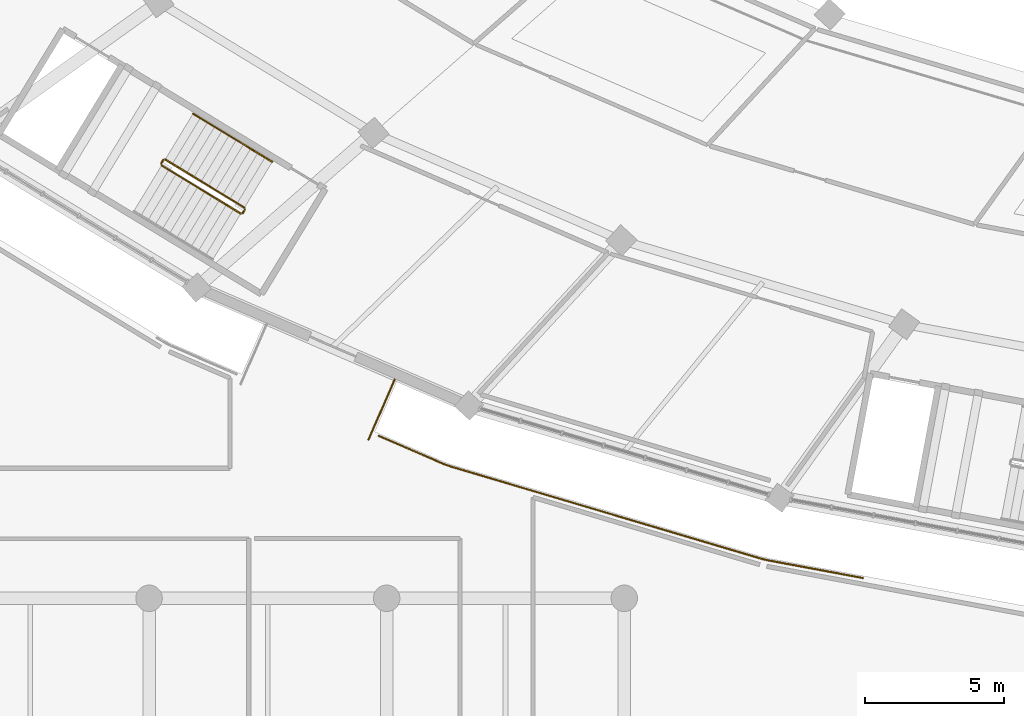
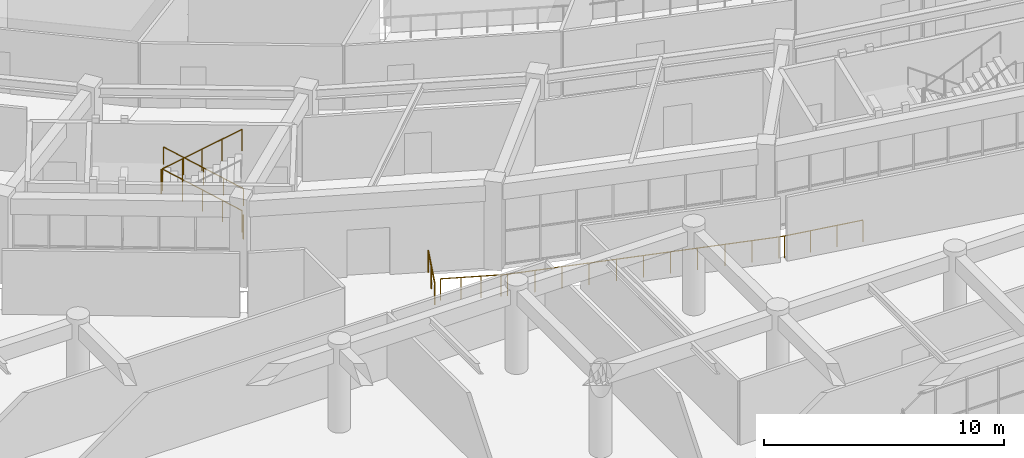
# One storey, part 114 of 141: 7 railings.
"""IFC4 building model written with IfcOpenShell, lengths in metres."""

from ifc_helpers import new_model, si_unit, direction, frame, origin, origin_2d, place, context, subcontext, project, spatial, circle, extrude, material, type_object, element, save


model = new_model("IFC4")

# Units and contexts
model_context = context("Model", 3, precision=1e-05, world=origin(), true_north=direction((0.0, 1.0)))
body_context = subcontext(model_context, "Body", "Model", "MODEL_VIEW")
ifc_project = project(units=[si_unit("LENGTHUNIT", "METRE"), si_unit("AREAUNIT", "SQUARE_METRE"), si_unit("VOLUMEUNIT", "CUBIC_METRE"), si_unit("PLANEANGLEUNIT", "RADIAN"), si_unit("MASSUNIT", "GRAM", prefix="KILO")], contexts=[model_context])

# Site, building, storey
site_placement = place(None, origin())
site = spatial("IfcSite", under=ifc_project, at=site_placement, CompositionType="ELEMENT")
building_placement = place(site_placement, origin())
building = spatial("IfcBuilding", under=site, at=building_placement, Name="Mphavela Belvedere Stadium", CompositionType="ELEMENT")
storey_placement = place(building_placement, frame((0.0, 0.0, 14.699951171875)))
storey = spatial("IfcBuildingStorey", under=building, at=storey_placement, Name="L03", CompositionType="ELEMENT", Elevation=14.699951171875)

# Railings
ifc_material_1 = material(Name="Bronze and laminated glass stadium balustrade", Category="glass")
railing_type_1 = type_object("IfcRailingType", Name="RAL-BALUSTRADE-1120", PredefinedType="BALUSTRADE", material=ifc_material_1)
railing_1_placement = place(storey_placement, frame((51.397216796875, 21.84619140625, 0.0)))
element("IfcRailing", 1, at=railing_1_placement, inside=storey, type_object=railing_type_1, Name="Colonnade link bridge balustrade L03-32B", PredefinedType="BALUSTRADE", context=body_context, shape_type="SweptSolid", body=[
    extrude(circle(Radius=0.02392578125, at=origin_2d()), frame((0.0, 0.0, 1.09619140625), z_axis=(-0.397677406785, -0.917525302176, 0.0), x_axis=(0.917525302176, -0.397677406785, 0.0)), (0.0, 0.0, 1.0), 2.35009765625),
    extrude(circle(Radius=0.02099609375, at=origin_2d()), origin(), (0.0, 0.0, 1.0), 1.072021484375),
    extrude(circle(Radius=0.02099609375, at=origin_2d()), frame((-0.46728515625, -1.078125, 0.0)), (0.0, 0.0, 1.0), 1.072021484375),
    extrude(circle(Radius=0.02099609375, at=origin_2d()), frame((-0.9345703125, -2.15625, 0.0)), (0.0, 0.0, 1.0), 1.072021484375),
])
railing_2_placement = place(storey_placement, frame((50.826904296875, 19.826416015625, 0.0)))
element("IfcRailing", 2, at=railing_2_placement, inside=storey, type_object=railing_type_1, Name="Peristyle wing gallery edge balustrade L03-03", PredefinedType="BALUSTRADE", context=body_context, shape_type="SweptSolid", body=[
    extrude(circle(Radius=0.02392578125, at=origin_2d()), frame((0.0, 0.0, 1.09619140625), z_axis=(0.917490104343, -0.397758605731, 0.0), x_axis=(0.397758605731, 0.917490104343, 0.0)), (0.0, 0.0, 1.0), 2.5380859375),
    extrude(circle(Radius=0.02392578125, at=origin_2d()), frame((2.32861328125, -1.009521484375, 1.09619140625), z_axis=(0.93961160912, -0.342242639083, 0.0), x_axis=(0.342242639083, 0.93961160912, 0.0)), (0.0, 0.0, 1.0), 0.274658203125),
    extrude(circle(Radius=0.02392578125, at=origin_2d()), frame((2.586669921875, -1.103515625, 1.09619140625), z_axis=(0.958663797484, -0.284541250776, 0.0), x_axis=(0.284541250776, 0.958663797484, 0.0)), (0.0, 0.0, 1.0), 11.61669921875),
    extrude(circle(Radius=0.02392578125, at=origin_2d()), frame((13.72314453125, -4.408935546875, 1.09619140625), z_axis=(0.972275475429, -0.233838405483, 0.0), x_axis=(0.233838405483, 0.972275475429, 0.0)), (0.0, 0.0, 1.0), 0.238037109375),
    extrude(circle(Radius=0.02392578125, at=origin_2d()), frame((13.95458984375, -4.464599609375, 1.09619140625), z_axis=(0.983089595219, -0.183125224291, 0.0), x_axis=(0.183125224291, 0.983089595219, 0.0)), (0.0, 0.0, 1.0), 3.459716796875),
    extrude(circle(Radius=0.02099609375, at=origin_2d()), origin(), (0.0, 0.0, 1.0), 1.072021484375),
    extrude(circle(Radius=0.02099609375, at=origin_2d()), frame((0.776123046875, -0.33642578125, 0.0)), (0.0, 0.0, 1.0), 1.072021484375),
    extrude(circle(Radius=0.02099609375, at=origin_2d()), frame((1.552490234375, -0.673095703125, 0.0)), (0.0, 0.0, 1.0), 1.072021484375),
    extrude(circle(Radius=0.02099609375, at=origin_2d()), frame((2.32861328125, -1.009521484375, 0.0)), (0.0, 0.0, 1.0), 1.072021484375),
    extrude(circle(Radius=0.02099609375, at=origin_2d()), frame((2.586669921875, -1.103515625, 0.0)), (0.0, 0.0, 1.0), 1.072021484375),
    extrude(circle(Radius=0.02099609375, at=origin_2d()), frame((3.7001953125, -1.43408203125, 0.0)), (0.0, 0.0, 1.0), 1.072021484375),
    extrude(circle(Radius=0.02099609375, at=origin_2d()), frame((4.81396484375, -1.7646484375, 0.0)), (0.0, 0.0, 1.0), 1.072021484375),
    extrude(circle(Radius=0.02099609375, at=origin_2d()), frame((5.927734375, -2.09521484375, 0.0)), (0.0, 0.0, 1.0), 1.072021484375),
    extrude(circle(Radius=0.02099609375, at=origin_2d()), frame((7.041259765625, -2.42578125, 0.0)), (0.0, 0.0, 1.0), 1.072021484375),
    extrude(circle(Radius=0.02099609375, at=origin_2d()), frame((8.15478515625, -2.75634765625, 0.0)), (0.0, 0.0, 1.0), 1.072021484375),
    extrude(circle(Radius=0.02099609375, at=origin_2d()), frame((9.2685546875, -3.086669921875, 0.0)), (0.0, 0.0, 1.0), 1.072021484375),
    extrude(circle(Radius=0.02099609375, at=origin_2d()), frame((10.38232421875, -3.417236328125, 0.0)), (0.0, 0.0, 1.0), 1.072021484375),
    extrude(circle(Radius=0.02099609375, at=origin_2d()), frame((11.495849609375, -3.747802734375, 0.0)), (0.0, 0.0, 1.0), 1.072021484375),
    extrude(circle(Radius=0.02099609375, at=origin_2d()), frame((12.609375, -4.078369140625, 0.0)), (0.0, 0.0, 1.0), 1.072021484375),
    extrude(circle(Radius=0.02099609375, at=origin_2d()), frame((13.72314453125, -4.408935546875, 0.0)), (0.0, 0.0, 1.0), 1.072021484375),
    extrude(circle(Radius=0.02099609375, at=origin_2d()), frame((13.95458984375, -4.464599609375, 0.0)), (0.0, 0.0, 1.0), 1.072021484375),
    extrude(circle(Radius=0.02099609375, at=origin_2d()), frame((15.08837890625, -4.67578125, 0.0)), (0.0, 0.0, 1.0), 1.072021484375),
    extrude(circle(Radius=0.02099609375, at=origin_2d()), frame((16.221923828125, -4.886962890625, 0.0)), (0.0, 0.0, 1.0), 1.072021484375),
    extrude(circle(Radius=0.02099609375, at=origin_2d()), frame((17.355712890625, -5.09814453125, 0.0)), (0.0, 0.0, 1.0), 1.072021484375),
])
ifc_material_2 = material(Name="Painted galvanised steel stair guardrail", Category="steel")
railing_type_2 = type_object("IfcRailingType", Name="RAL-GUARD-1120", PredefinedType="GUARDRAIL", material=ifc_material_2)
railing_3_placement = place(storey_placement, frame((46.01171875, 28.00634765625, 0.1875)))
element("IfcRailing", 3, at=railing_3_placement, inside=storey, type_object=railing_type_2, Name="L03 ST-C10 stair guard 1", PredefinedType="GUARDRAIL", context=body_context, shape_type="SweptSolid", body=[
    extrude(circle(Radius=0.02392578125, at=origin_2d()), frame((0.0, 0.0, 1.09619140625), z_axis=(-0.725842161385, 0.441499348228, 0.527476522957), x_axis=(-0.519674131948, -0.854364557191, 0.0)), (0.0, 0.0, 1.0), 3.91015625),
    extrude(circle(Radius=0.02099609375, at=origin_2d()), origin(), (0.0, 0.0, 1.0), 1.072021484375),
    extrude(circle(Radius=0.02099609375, at=origin_2d()), frame((-0.70947265625, 0.431640625, 0.515625)), (0.0, 0.0, 1.0), 1.072021484375),
    extrude(circle(Radius=0.02099609375, at=origin_2d()), frame((-1.4189453125, 0.86328125, 1.03125)), (0.0, 0.0, 1.0), 1.072021484375),
    extrude(circle(Radius=0.02099609375, at=origin_2d()), frame((-2.128662109375, 1.294677734375, 1.546875)), (0.0, 0.0, 1.0), 1.072021484375),
    extrude(circle(Radius=0.02099609375, at=origin_2d()), frame((-2.838134765625, 1.726318359375, 2.0625)), (0.0, 0.0, 1.0), 1.072021484375),
])
railing_4_placement = place(storey_placement, frame((43.104736328125, 29.716064453125, 2.25)))
element("IfcRailing", 4, at=railing_4_placement, inside=storey, type_object=railing_type_2, Name="L03 ST-C10 stair guard 2", PredefinedType="GUARDRAIL", context=body_context, shape_type="SweptSolid", body=[
    extrude(circle(Radius=0.02392578125, at=origin_2d()), frame((0.0, 0.0, 1.09619140625), z_axis=(-0.51927544977, -0.85460693144, 0.0), x_axis=(0.85460693144, -0.51927544977, 0.0)), (0.0, 0.0, 1.0), 0.14990234375),
    extrude(circle(Radius=0.02099609375, at=origin_2d()), origin(), (0.0, 0.0, 1.0), 1.072021484375),
    extrude(circle(Radius=0.02099609375, at=origin_2d()), frame((-0.077880859375, -0.128173828125, 0.0)), (0.0, 0.0, 1.0), 1.072021484375),
])
railing_5_placement = place(storey_placement, frame((43.043701171875, 29.519287109375, 2.4375)))
element("IfcRailing", 5, at=railing_5_placement, inside=storey, type_object=railing_type_2, Name="L03 ST-C10 stair guard 3", PredefinedType="GUARDRAIL", context=body_context, shape_type="SweptSolid", body=[
    extrude(circle(Radius=0.02392578125, at=origin_2d()), frame((0.0, 0.0, 1.09619140625), z_axis=(0.725822151977, -0.441549613658, 0.527461981927), x_axis=(0.519727774796, 0.854331926189, 0.0)), (0.0, 0.0, 1.0), 3.91015625),
    extrude(circle(Radius=0.02099609375, at=origin_2d()), origin(), (0.0, 0.0, 1.0), 1.072021484375),
    extrude(circle(Radius=0.02099609375, at=origin_2d()), frame((0.70947265625, -0.431640625, 0.515625)), (0.0, 0.0, 1.0), 1.072021484375),
    extrude(circle(Radius=0.02099609375, at=origin_2d()), frame((1.4189453125, -0.86328125, 1.03125)), (0.0, 0.0, 1.0), 1.072021484375),
    extrude(circle(Radius=0.02099609375, at=origin_2d()), frame((2.128662109375, -1.294921875, 1.546875)), (0.0, 0.0, 1.0), 1.072021484375),
    extrude(circle(Radius=0.02099609375, at=origin_2d()), frame((2.838134765625, -1.7265625, 2.0625)), (0.0, 0.0, 1.0), 1.072021484375),
])
railing_6_placement = place(storey_placement, frame((46.028564453125, 27.937744140625, 0.0)))
element("IfcRailing", 6, at=railing_6_placement, inside=storey, type_object=railing_type_2, Name="L03 ST-C10 stair guard 4", PredefinedType="GUARDRAIL", context=body_context, shape_type="SweptSolid", body=[
    extrude(circle(Radius=0.02392578125, at=origin_2d()), frame((0.0, 0.0, 1.09619140625), z_axis=(-0.520462828118, -0.853884327381, 0.0), x_axis=(0.853884327381, -0.520462828118, 0.0)), (0.0, 0.0, 1.0), 0.150146484375),
    extrude(circle(Radius=0.02099609375, at=origin_2d()), origin(), (0.0, 0.0, 1.0), 1.072021484375),
    extrude(circle(Radius=0.02099609375, at=origin_2d()), frame((-0.078125, -0.128173828125, 0.0)), (0.0, 0.0, 1.0), 1.072021484375),
])
ifc_material_3 = material(Name="Brushed stainless steel tubular handrail", Category="steel")
railing_type_3 = type_object("IfcRailingType", Name="RAL-HANDRAIL-900", PredefinedType="HANDRAIL", material=ifc_material_3)
railing_7_placement = place(storey_placement, frame((47.009521484375, 29.646728515625, 0.1875)))
element("IfcRailing", 7, at=railing_7_placement, inside=storey, type_object=railing_type_3, Name="L03 ST-C10 stair handrail 1", PredefinedType="HANDRAIL", context=body_context, shape_type="SweptSolid", body=[
    extrude(circle(Radius=0.02392578125, at=origin_2d()), frame((0.0, 0.0, 0.8759765625), z_axis=(-0.725842161385, 0.441499348228, 0.527476522957), x_axis=(-0.519674131948, -0.854364557191, 0.0)), (0.0, 0.0, 1.0), 3.91015625),
    extrude(circle(Radius=0.02099609375, at=origin_2d()), origin(), (0.0, 0.0, 1.0), 0.851806640625),
    extrude(circle(Radius=0.02099609375, at=origin_2d()), frame((-0.70947265625, 0.431640625, 0.515625)), (0.0, 0.0, 1.0), 0.851806640625),
    extrude(circle(Radius=0.02099609375, at=origin_2d()), frame((-1.4189453125, 0.86328125, 1.03125)), (0.0, 0.0, 1.0), 0.851806640625),
    extrude(circle(Radius=0.02099609375, at=origin_2d()), frame((-2.128662109375, 1.294677734375, 1.546875)), (0.0, 0.0, 1.0), 0.851806640625),
    extrude(circle(Radius=0.02099609375, at=origin_2d()), frame((-2.838134765625, 1.726318359375, 2.0625)), (0.0, 0.0, 1.0), 0.851806640625),
])

save(model, "model.ifc")
